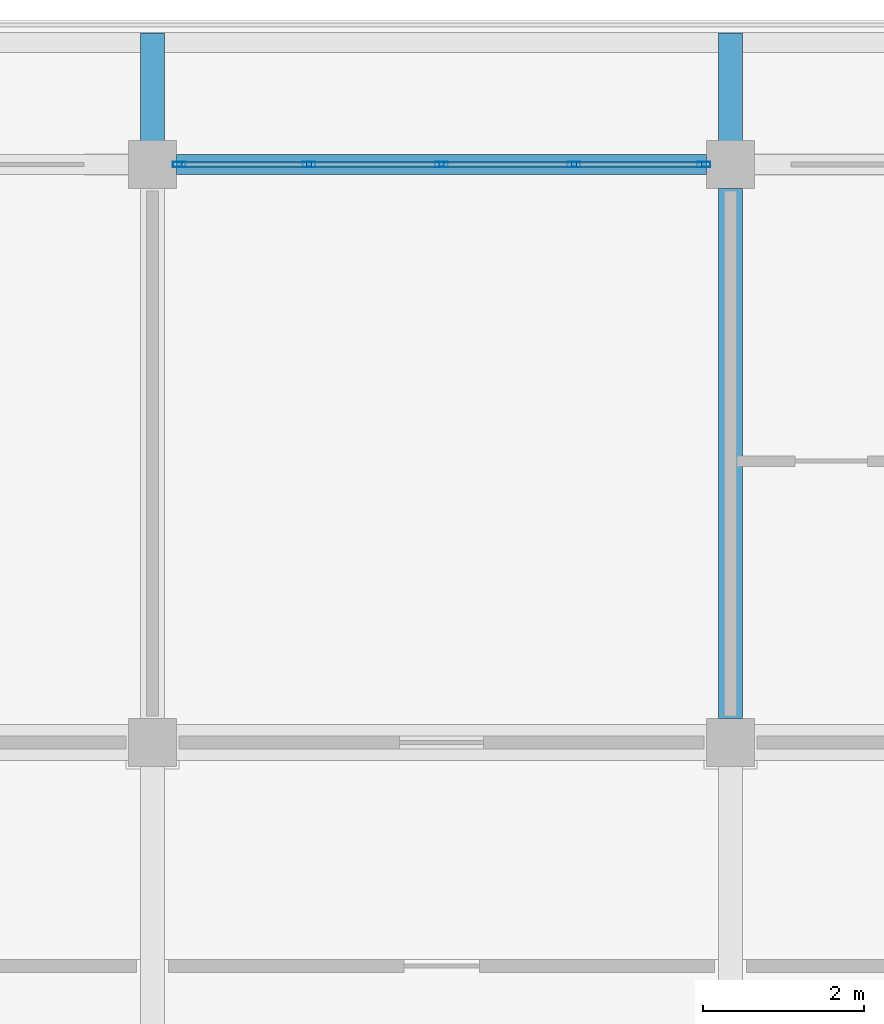
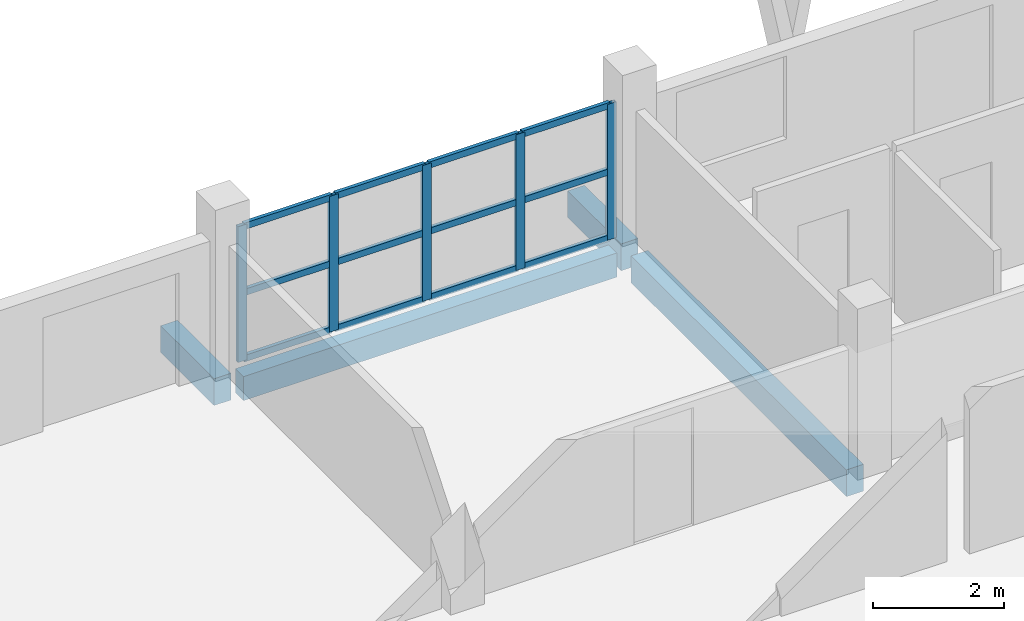
# One storey, part 9 of 67: 17 members, 4 beams, 1 element without a shape of its own.
"""IFC4 building model written with IfcOpenShell, lengths in metres."""

from ifc_helpers import new_model, si_unit, direction, frame, origin, origin_2d, place, context, subcontext, project, spatial, rectangle, hollow_rectangle, extrude, material, material_profile, profile_set, type_object, element, aggregate, save


model = new_model("IFC4")

# Units and contexts
model_context = context("Model", 3, precision=1e-05, world=origin(), true_north=direction((0.0, 1.0)))
body_context = subcontext(model_context, "Body", "Model", "MODEL_VIEW")
ifc_project = project(units=[si_unit("LENGTHUNIT", "METRE"), si_unit("AREAUNIT", "SQUARE_METRE"), si_unit("VOLUMEUNIT", "CUBIC_METRE"), si_unit("PLANEANGLEUNIT", "RADIAN"), si_unit("MASSUNIT", "GRAM", prefix="KILO")], contexts=[model_context])

# Site, building, storey
site_placement = place(None, origin())
site = spatial("IfcSite", under=ifc_project, at=site_placement, CompositionType="ELEMENT")
building_placement = place(site_placement, origin())
building = spatial("IfcBuilding", under=site, at=building_placement, Name="Suanplinth Sawtooth Commons", CompositionType="ELEMENT")
storey_placement = place(building_placement, frame((0.0, 0.0, 25.10009765625)))
storey = spatial("IfcBuildingStorey", under=building, at=storey_placement, Name="L07", CompositionType="ELEMENT", Elevation=25.10009765625)

# Beams
ifc_material_1 = material(Name="Precast concrete C40/50", Category="concrete")
ifc_material_profile_1 = material_profile(ifc_material_1, rectangle(XDim=0.300048828125, YDim=0.5, at=origin_2d()), Name="PC-BM 300x500")
ifc_profile_set_1 = profile_set([ifc_material_profile_1], Name="Precast concrete C40/50")
beam_type_1 = type_object("IfcBeamType", Name="B-07", PredefinedType="BEAM", material=ifc_profile_set_1)
beam_1_placement = place(storey_placement, frame((28.800048828125, 115.5, -0.47021484375), z_axis=(0.0, 1.0, 0.0), x_axis=(-1.0, 0.0, 0.0)))
element("IfcBeam", 1, at=beam_1_placement, inside=storey, type_object=beam_type_1, Name="BMY-L07-A-4-16", PredefinedType="BEAM", context=body_context, shape_type="SweptSolid", body=[
    extrude(rectangle(XDim=0.300048828125, YDim=0.5, at=origin_2d()), origin(), (0.0, 0.0, 1.0), 6.60009765625),
])
for number, where, z_axis, x_axis, name in (
    (2, (21.60009765625, 122.39990234375, -0.43017578125), (0.0, 1.0, 0.0), (-1.0, 0.0, 0.0), "Balcony Outrigger L07-A-N-3"),
    (3, (28.800048828125, 122.39990234375, -0.43017578125), (0.0, 1.0, 0.0), (-1.0, 0.0, 0.0), "Balcony Outrigger L07-A-N-4"),
):
    element("IfcBeam", number, at=place(storey_placement, frame(where, z_axis=z_axis, x_axis=x_axis)), inside=storey, type_object=beam_type_1, Name=name, PredefinedType="BEAM", context=body_context, shape_type="SweptSolid", body=[
        extrude(rectangle(XDim=0.300048828125, YDim=0.5, at=origin_2d()), origin(), (0.0, 0.0, 1.0), 1.64013671875),
    ])
ifc_material_profile_2 = material_profile(ifc_material_1, rectangle(XDim=0.25, YDim=0.449951171875, at=origin_2d()), Name="PC-SP 250x450")
ifc_profile_set_2 = profile_set([ifc_material_profile_2], Name="Precast concrete C40/50")
beam_type_2 = type_object("IfcBeamType", Name="B-09", PredefinedType="SPANDREL", material=ifc_profile_set_2)
beam_2_placement = place(storey_placement, frame((21.89990234375, 122.39990234375, -0.445068359375), z_axis=(1.0, 0.0, 0.0), x_axis=(0.0, 1.0, 0.0)))
element("IfcBeam", 4, at=beam_2_placement, inside=storey, type_object=beam_type_2, Name="BMX-L07-A-3-17", PredefinedType="SPANDREL", context=body_context, shape_type="SweptSolid", body=[
    extrude(rectangle(XDim=0.25, YDim=0.449951171875, at=origin_2d()), origin(), (0.0, 0.0, 1.0), 6.60009765625),
])

# Curtain wall, members
ifc_material_2 = material(Name="Anodized aluminium and low-E glazing", Category="aluminium")
curtain_wall_type = type_object("IfcCurtainWallType", Name="CW-06", PredefinedType="USERDEFINED", material=ifc_material_2)
curtain_wall_placement = place(storey_placement, origin())
curtain_wall = element("IfcCurtainWall", 5, at=curtain_wall_placement, inside=storey, type_object=curtain_wall_type, Name="Curtain Wall CW-L07-A-LOUNGE-2", ObjectType="CURTAIN WALL", PredefinedType="USERDEFINED")
ifc_material_3 = material(Name="Anodized aluminium 6063-T6", Category="aluminium")
ifc_material_profile_3 = material_profile(ifc_material_3, hollow_rectangle(XDim=0.06494140625, YDim=0.159912109375, WallThickness=0.00390625, at=origin_2d()), Name="ALU-MUL 65x160")
ifc_profile_set_3 = profile_set([ifc_material_profile_3], Name="Anodized aluminium 6063-T6")
member_type_1 = type_object("IfcMemberType", Name="M-13", PredefinedType="MULLION", material=ifc_profile_set_3)
member_1_placement = place(storey_placement, frame((21.9326171875, 122.39990234375, 0.0), z_axis=(0.0, 0.0, 1.0), x_axis=(0.0, 1.0, 0.0)))
member_1 = element("IfcMember", 6, at=member_1_placement, type_object=member_type_1, Name="CW-06 mullion 1", PredefinedType="MULLION", context=body_context, shape_type="SweptSolid", body=[
    extrude(hollow_rectangle(XDim=0.06494140625, YDim=0.159912109375, WallThickness=0.00390625, at=origin_2d()), origin(), (0.0, 0.0, 1.0), 2.539794921875),
])
member_2_placement = place(storey_placement, frame((23.550048828125, 122.39990234375, 0.0), z_axis=(0.0, 0.0, 1.0), x_axis=(0.0, 1.0, 0.0)))
member_2 = element("IfcMember", 7, at=member_2_placement, type_object=member_type_1, Name="CW-06 mullion 2", PredefinedType="MULLION", context=body_context, shape_type="SweptSolid", body=[
    extrude(hollow_rectangle(XDim=0.06494140625, YDim=0.159912109375, WallThickness=0.00390625, at=origin_2d()), origin(), (0.0, 0.0, 1.0), 2.539794921875),
])
member_3_placement = place(storey_placement, frame((25.199951171875, 122.39990234375, 0.0), z_axis=(0.0, 0.0, 1.0), x_axis=(0.0, 1.0, 0.0)))
member_3 = element("IfcMember", 8, at=member_3_placement, type_object=member_type_1, Name="CW-06 mullion 3", PredefinedType="MULLION", context=body_context, shape_type="SweptSolid", body=[
    extrude(hollow_rectangle(XDim=0.06494140625, YDim=0.159912109375, WallThickness=0.00390625, at=origin_2d()), origin(), (0.0, 0.0, 1.0), 2.539794921875),
])
member_4_placement = place(storey_placement, frame((26.85009765625, 122.39990234375, 0.0), z_axis=(0.0, 0.0, 1.0), x_axis=(0.0, 1.0, 0.0)))
member_4 = element("IfcMember", 9, at=member_4_placement, type_object=member_type_1, Name="CW-06 mullion 4", PredefinedType="MULLION", context=body_context, shape_type="SweptSolid", body=[
    extrude(hollow_rectangle(XDim=0.06494140625, YDim=0.159912109375, WallThickness=0.00390625, at=origin_2d()), origin(), (0.0, 0.0, 1.0), 2.539794921875),
])
member_5_placement = place(storey_placement, frame((28.467529296875, 122.39990234375, 0.0), z_axis=(0.0, 0.0, 1.0), x_axis=(0.0, 1.0, 0.0)))
member_5 = element("IfcMember", 10, at=member_5_placement, type_object=member_type_1, Name="CW-06 mullion 5", PredefinedType="MULLION", context=body_context, shape_type="SweptSolid", body=[
    extrude(hollow_rectangle(XDim=0.06494140625, YDim=0.159912109375, WallThickness=0.00390625, at=origin_2d()), origin(), (0.0, 0.0, 1.0), 2.539794921875),
])
ifc_material_profile_4 = material_profile(ifc_material_3, hollow_rectangle(XDim=0.06494140625, YDim=0.1201171875, WallThickness=0.00390625, at=origin_2d()), Name="ALU-TRN 65x120")
ifc_profile_set_4 = profile_set([ifc_material_profile_4], Name="Anodized aluminium 6063-T6")
member_type_2 = type_object("IfcMemberType", Name="M-15", PredefinedType="USERDEFINED", material=ifc_profile_set_4)
member_6_placement = place(storey_placement, frame((21.965087890625, 122.39990234375, 0.032470703125), z_axis=(1.0, 0.0, 0.0), x_axis=(0.0, 1.0, 0.0)))
member_6 = element("IfcMember", 11, at=member_6_placement, type_object=member_type_2, Name="CW-06 transom 1.1", ObjectType="TRANSOM", PredefinedType="USERDEFINED", context=body_context, shape_type="SweptSolid", body=[
    extrude(hollow_rectangle(XDim=0.06494140625, YDim=0.1201171875, WallThickness=0.00390625, at=origin_2d()), origin(), (0.0, 0.0, 1.0), 1.552490234375),
])
member_7_placement = place(storey_placement, frame((21.965087890625, 122.39990234375, 1.27001953125), z_axis=(1.0, 0.0, 0.0), x_axis=(0.0, 1.0, 0.0)))
member_7 = element("IfcMember", 12, at=member_7_placement, type_object=member_type_2, Name="CW-06 transom 1.2", ObjectType="TRANSOM", PredefinedType="USERDEFINED", context=body_context, shape_type="SweptSolid", body=[
    extrude(hollow_rectangle(XDim=0.06494140625, YDim=0.1201171875, WallThickness=0.00390625, at=origin_2d()), origin(), (0.0, 0.0, 1.0), 1.552490234375),
])
member_8_placement = place(storey_placement, frame((21.965087890625, 122.39990234375, 2.50732421875), z_axis=(1.0, 0.0, 0.0), x_axis=(0.0, 1.0, 0.0)))
member_8 = element("IfcMember", 13, at=member_8_placement, type_object=member_type_2, Name="CW-06 transom 1.3", ObjectType="TRANSOM", PredefinedType="USERDEFINED", context=body_context, shape_type="SweptSolid", body=[
    extrude(hollow_rectangle(XDim=0.06494140625, YDim=0.1201171875, WallThickness=0.00390625, at=origin_2d()), origin(), (0.0, 0.0, 1.0), 1.552490234375),
])
member_9_placement = place(storey_placement, frame((23.58251953125, 122.39990234375, 0.032470703125), z_axis=(1.0, 0.0, 0.0), x_axis=(0.0, 1.0, 0.0)))
member_9 = element("IfcMember", 14, at=member_9_placement, type_object=member_type_2, Name="CW-06 transom 2.1", ObjectType="TRANSOM", PredefinedType="USERDEFINED", context=body_context, shape_type="SweptSolid", body=[
    extrude(hollow_rectangle(XDim=0.06494140625, YDim=0.1201171875, WallThickness=0.00390625, at=origin_2d()), origin(), (0.0, 0.0, 1.0), 1.5849609375),
])
member_10_placement = place(storey_placement, frame((23.58251953125, 122.39990234375, 1.27001953125), z_axis=(1.0, 0.0, 0.0), x_axis=(0.0, 1.0, 0.0)))
member_10 = element("IfcMember", 15, at=member_10_placement, type_object=member_type_2, Name="CW-06 transom 2.2", ObjectType="TRANSOM", PredefinedType="USERDEFINED", context=body_context, shape_type="SweptSolid", body=[
    extrude(hollow_rectangle(XDim=0.06494140625, YDim=0.1201171875, WallThickness=0.00390625, at=origin_2d()), origin(), (0.0, 0.0, 1.0), 1.5849609375),
])
member_11_placement = place(storey_placement, frame((23.58251953125, 122.39990234375, 2.50732421875), z_axis=(1.0, 0.0, 0.0), x_axis=(0.0, 1.0, 0.0)))
member_11 = element("IfcMember", 16, at=member_11_placement, type_object=member_type_2, Name="CW-06 transom 2.3", ObjectType="TRANSOM", PredefinedType="USERDEFINED", context=body_context, shape_type="SweptSolid", body=[
    extrude(hollow_rectangle(XDim=0.06494140625, YDim=0.1201171875, WallThickness=0.00390625, at=origin_2d()), origin(), (0.0, 0.0, 1.0), 1.5849609375),
])
member_12_placement = place(storey_placement, frame((25.232421875, 122.39990234375, 0.032470703125), z_axis=(1.0, 0.0, 0.0), x_axis=(0.0, 1.0, 0.0)))
member_12 = element("IfcMember", 17, at=member_12_placement, type_object=member_type_2, Name="CW-06 transom 3.1", ObjectType="TRANSOM", PredefinedType="USERDEFINED", context=body_context, shape_type="SweptSolid", body=[
    extrude(hollow_rectangle(XDim=0.06494140625, YDim=0.1201171875, WallThickness=0.00390625, at=origin_2d()), origin(), (0.0, 0.0, 1.0), 1.5849609375),
])
member_13_placement = place(storey_placement, frame((25.232421875, 122.39990234375, 1.27001953125), z_axis=(1.0, 0.0, 0.0), x_axis=(0.0, 1.0, 0.0)))
member_13 = element("IfcMember", 18, at=member_13_placement, type_object=member_type_2, Name="CW-06 transom 3.2", ObjectType="TRANSOM", PredefinedType="USERDEFINED", context=body_context, shape_type="SweptSolid", body=[
    extrude(hollow_rectangle(XDim=0.06494140625, YDim=0.1201171875, WallThickness=0.00390625, at=origin_2d()), origin(), (0.0, 0.0, 1.0), 1.5849609375),
])
member_14_placement = place(storey_placement, frame((25.232421875, 122.39990234375, 2.50732421875), z_axis=(1.0, 0.0, 0.0), x_axis=(0.0, 1.0, 0.0)))
member_14 = element("IfcMember", 19, at=member_14_placement, type_object=member_type_2, Name="CW-06 transom 3.3", ObjectType="TRANSOM", PredefinedType="USERDEFINED", context=body_context, shape_type="SweptSolid", body=[
    extrude(hollow_rectangle(XDim=0.06494140625, YDim=0.1201171875, WallThickness=0.00390625, at=origin_2d()), origin(), (0.0, 0.0, 1.0), 1.5849609375),
])
member_15_placement = place(storey_placement, frame((26.882568359375, 122.39990234375, 0.032470703125), z_axis=(1.0, 0.0, 0.0), x_axis=(0.0, 1.0, 0.0)))
member_15 = element("IfcMember", 20, at=member_15_placement, type_object=member_type_2, Name="CW-06 transom 4.1", ObjectType="TRANSOM", PredefinedType="USERDEFINED", context=body_context, shape_type="SweptSolid", body=[
    extrude(hollow_rectangle(XDim=0.06494140625, YDim=0.1201171875, WallThickness=0.00390625, at=origin_2d()), origin(), (0.0, 0.0, 1.0), 1.552490234375),
])
member_16_placement = place(storey_placement, frame((26.882568359375, 122.39990234375, 1.27001953125), z_axis=(1.0, 0.0, 0.0), x_axis=(0.0, 1.0, 0.0)))
member_16 = element("IfcMember", 21, at=member_16_placement, type_object=member_type_2, Name="CW-06 transom 4.2", ObjectType="TRANSOM", PredefinedType="USERDEFINED", context=body_context, shape_type="SweptSolid", body=[
    extrude(hollow_rectangle(XDim=0.06494140625, YDim=0.1201171875, WallThickness=0.00390625, at=origin_2d()), origin(), (0.0, 0.0, 1.0), 1.552490234375),
])
member_17_placement = place(storey_placement, frame((26.882568359375, 122.39990234375, 2.50732421875), z_axis=(1.0, 0.0, 0.0), x_axis=(0.0, 1.0, 0.0)))
member_17 = element("IfcMember", 22, at=member_17_placement, type_object=member_type_2, Name="CW-06 transom 4.3", ObjectType="TRANSOM", PredefinedType="USERDEFINED", context=body_context, shape_type="SweptSolid", body=[
    extrude(hollow_rectangle(XDim=0.06494140625, YDim=0.1201171875, WallThickness=0.00390625, at=origin_2d()), origin(), (0.0, 0.0, 1.0), 1.552490234375),
])
aggregate(curtain_wall, [member_1, member_2, member_3, member_4, member_5, member_6, member_7, member_8, member_9, member_10, member_11, member_12, member_13, member_14, member_15, member_16, member_17])

save(model, "model.ifc")
